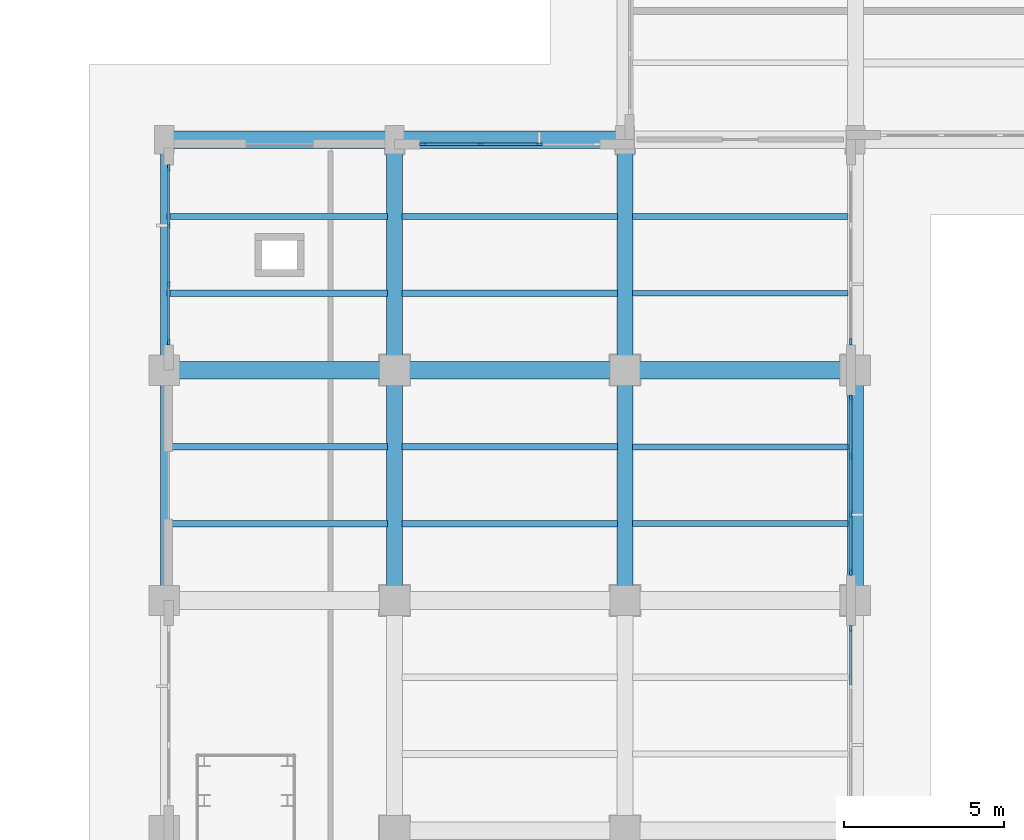
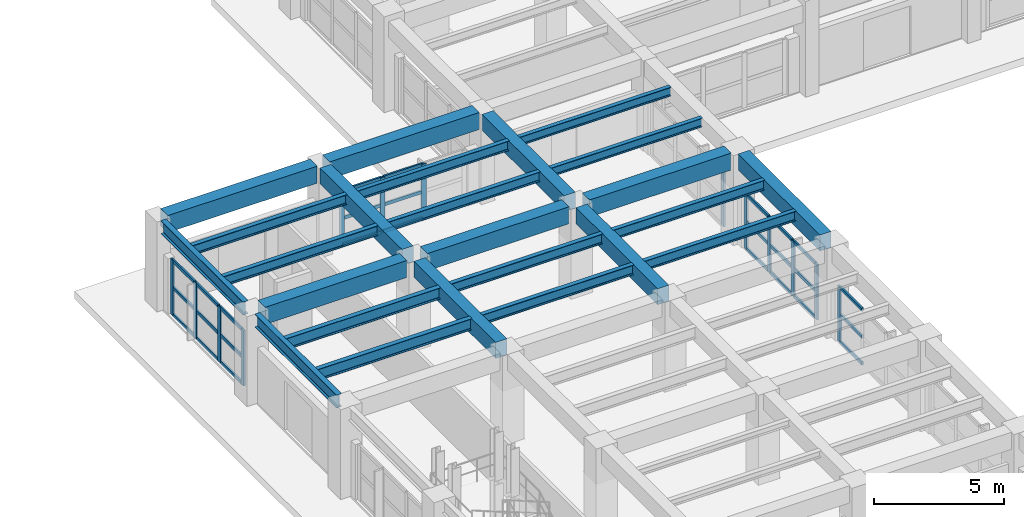
# One storey, part 19 of 64: 40 members, 24 beams, 5 elements without a shape of their own.
"""IFC4 building model written with IfcOpenShell, lengths in metres."""

from ifc_helpers import new_model, si_unit, direction, frame, origin, origin_2d, place, context, subcontext, project, spatial, rectangle, i_section, extrude, material, layer, layer_set, material_profile, profile_set, type_object, element, aggregate, save


model = new_model("IFC4")

# Units and contexts
model_context = context("Model", 3, precision=1e-05, world=origin(), true_north=direction((0.0, 1.0)))
body_context = subcontext(model_context, "Body", "Model", "MODEL_VIEW")
ifc_project = project(units=[si_unit("LENGTHUNIT", "METRE"), si_unit("AREAUNIT", "SQUARE_METRE"), si_unit("VOLUMEUNIT", "CUBIC_METRE"), si_unit("PLANEANGLEUNIT", "RADIAN"), si_unit("MASSUNIT", "GRAM", prefix="KILO")], contexts=[model_context])

# Site, building, storey
site_placement = place(None, origin())
site = spatial("IfcSite", under=ifc_project, at=site_placement, CompositionType="ELEMENT")
building_placement = place(site_placement, origin())
building = spatial("IfcBuilding", under=site, at=building_placement, Name="Solenvale Faculty of Natural Sciences", CompositionType="ELEMENT")
storey_placement = place(building_placement, origin())
storey = spatial("IfcBuildingStorey", under=building, at=storey_placement, Name="L00", CompositionType="ELEMENT", Elevation=0.0)

# Beams
ifc_material_1 = material(Name="Concrete 40 MPa", Category="concrete")
ifc_material_profile_1 = material_profile(ifc_material_1, rectangle(XDim=0.5, YDim=0.75, at=origin_2d()), Name="RC-BM-500x750")
ifc_profile_set_1 = profile_set([ifc_material_profile_1], Name="Concrete 40 MPa")
beam_type_1 = type_object("IfcBeamType", Name="BM-RC-500x750", PredefinedType="BEAM", material=ifc_profile_set_1)
beam_1_placement = place(storey_placement, frame((43.199951171875, 79.655029296875, 3.844970703125), z_axis=(0.0, 1.0, 0.0), x_axis=(-1.0, 0.0, 0.0)))
element("IfcBeam", 1, at=beam_1_placement, inside=storey, type_object=beam_type_1, Name="L00 Y-Girder X43.2 (79.2..86.4)", PredefinedType="BEAM", context=body_context, shape_type="SweptSolid", body=[
    extrude(rectangle(XDim=0.5, YDim=0.75, at=origin_2d()), origin(), (0.0, 0.0, 1.0), 6.2900390625),
])
beam_2_placement = place(storey_placement, frame((43.199951171875, 86.85498046875, 3.844970703125), z_axis=(0.0, 1.0, 0.0), x_axis=(-1.0, 0.0, 0.0)))
element("IfcBeam", 2, at=beam_2_placement, inside=storey, type_object=beam_type_1, Name="L00 Y-Girder X43.2 (86.4..93.6)", PredefinedType="BEAM", context=body_context, shape_type="SweptSolid", body=[
    extrude(rectangle(XDim=0.5, YDim=0.75, at=origin_2d()), origin(), (0.0, 0.0, 1.0), 6.31494140625),
])
beam_3_placement = place(storey_placement, frame((50.39990234375, 79.655029296875, 3.844970703125), z_axis=(0.0, 1.0, 0.0), x_axis=(-1.0, 0.0, 0.0)))
element("IfcBeam", 3, at=beam_3_placement, inside=storey, type_object=beam_type_1, Name="L00 Y-Girder X50.4 (79.2..86.4)", PredefinedType="BEAM", context=body_context, shape_type="SweptSolid", body=[
    extrude(rectangle(XDim=0.5, YDim=0.75, at=origin_2d()), origin(), (0.0, 0.0, 1.0), 6.2900390625),
])
beam_4_placement = place(storey_placement, frame((50.39990234375, 86.85498046875, 3.844970703125), z_axis=(0.0, 1.0, 0.0), x_axis=(-1.0, 0.0, 0.0)))
element("IfcBeam", 4, at=beam_4_placement, inside=storey, type_object=beam_type_1, Name="L00 Y-Girder X50.4 (86.4..93.6)", PredefinedType="BEAM", context=body_context, shape_type="SweptSolid", body=[
    extrude(rectangle(XDim=0.5, YDim=0.75, at=origin_2d()), origin(), (0.0, 0.0, 1.0), 6.31494140625),
])
beam_5_placement = place(storey_placement, frame((57.60009765625, 79.655029296875, 3.844970703125), z_axis=(0.0, 1.0, 0.0), x_axis=(-1.0, 0.0, 0.0)))
element("IfcBeam", 5, at=beam_5_placement, inside=storey, type_object=beam_type_1, Name="L00 Y-Girder X57.6 (79.2..86.4)", PredefinedType="BEAM", context=body_context, shape_type="SweptSolid", body=[
    extrude(rectangle(XDim=0.5, YDim=0.75, at=origin_2d()), origin(), (0.0, 0.0, 1.0), 6.2900390625),
])
ifc_material_profile_2 = material_profile(ifc_material_1, rectangle(XDim=0.550048828125, YDim=0.800048828125, at=origin_2d()), Name="RC-BM-550x800")
ifc_profile_set_2 = profile_set([ifc_material_profile_2], Name="Concrete 40 MPa")
beam_type_2 = type_object("IfcBeamType", Name="BM-RC-550x800", PredefinedType="BEAM", material=ifc_profile_set_2)
for number, where, z_axis, x_axis, name in (
    (6, (36.455078125, 86.39990234375, 3.820068359375), (1.0, 0.0, 0.0), (0.0, 1.0, 0.0), "L00 X-Girder Y86.4 (36.0..43.2)"),
    (7, (43.655029296875, 86.39990234375, 3.820068359375), (1.0, 0.0, 0.0), (0.0, 1.0, 0.0), "L00 X-Girder Y86.4 (43.2..50.4)"),
    (8, (50.85498046875, 86.39990234375, 3.820068359375), (1.0, 0.0, 0.0), (0.0, 1.0, 0.0), "L00 X-Girder Y86.4 (50.4..57.6)"),
):
    element("IfcBeam", number, at=place(storey_placement, frame(where, z_axis=z_axis, x_axis=x_axis)), inside=storey, type_object=beam_type_2, Name=name, PredefinedType="BEAM", context=body_context, shape_type="SweptSolid", body=[
        extrude(rectangle(XDim=0.550048828125, YDim=0.800048828125, at=origin_2d()), origin(), (0.0, 0.0, 1.0), 6.2900390625),
    ])
beam_6_placement = place(storey_placement, frame((36.280029296875, 93.60009765625, 3.820068359375), z_axis=(1.0, 0.0, 0.0), x_axis=(0.0, 1.0, 0.0)))
element("IfcBeam", 9, at=beam_6_placement, inside=storey, type_object=beam_type_2, Name="L00 X-Girder Y93.6 (36.0..43.2)", PredefinedType="BEAM", context=body_context, shape_type="SweptSolid", body=[
    extrude(rectangle(XDim=0.550048828125, YDim=0.800048828125, at=origin_2d()), origin(), (0.0, 0.0, 1.0), 6.639892578125),
])
beam_7_placement = place(storey_placement, frame((43.47998046875, 93.60009765625, 3.820068359375), z_axis=(1.0, 0.0, 0.0), x_axis=(0.0, 1.0, 0.0)))
element("IfcBeam", 10, at=beam_7_placement, inside=storey, type_object=beam_type_2, Name="L00 X-Girder Y93.6 (43.2..50.4)", PredefinedType="BEAM", context=body_context, shape_type="SweptSolid", body=[
    extrude(rectangle(XDim=0.550048828125, YDim=0.800048828125, at=origin_2d()), origin(), (0.0, 0.0, 1.0), 6.64013671875),
])
ifc_material_2 = material(Name="Steel S355", Category="steel")
ifc_material_profile_3 = material_profile(ifc_material_2, i_section(OverallWidth=0.180908203125, OverallDepth=0.4169921875, WebThickness=0.010986328125, FlangeThickness=0.018310546875, FilletRadius=0.01611328125, at=origin_2d()), Name="W410x85")
ifc_profile_set_3 = profile_set([ifc_material_profile_3], Name="Steel S355")
beam_type_3 = type_object("IfcBeamType", Name="BM-STL-W410x85", PredefinedType="JOIST", material=ifc_profile_set_3)
for number, where, z_axis, x_axis, name in (
    (11, (50.6298828125, 88.800048828125, 4.011474609375), (1.0, 0.0, 0.0), (0.0, 1.0, 0.0), "L00 Composite Floor Joist (8,13).1"),
    (12, (50.6298828125, 91.199951171875, 4.011474609375), (1.0, 0.0, 0.0), (0.0, 1.0, 0.0), "L00 Composite Floor Joist (8,13).2"),
):
    element("IfcBeam", number, at=place(storey_placement, frame(where, z_axis=z_axis, x_axis=x_axis)), inside=storey, type_object=beam_type_3, Name=name, PredefinedType="JOIST", context=body_context, shape_type="SweptSolid", body=[
        extrude(i_section(OverallWidth=0.180908203125, OverallDepth=0.4169921875, WebThickness=0.010986328125, FlangeThickness=0.018310546875, FilletRadius=0.01611328125, at=origin_2d()), origin(), (0.0, 0.0, 1.0), 6.740234375),
    ])
ifc_material_profile_4 = material_profile(ifc_material_2, i_section(OverallWidth=0.194091796875, OverallDepth=0.468994140625, WebThickness=0.0126953125, FlangeThickness=0.0205078125, FilletRadius=0.01806640625, at=origin_2d()), Name="W460x106")
ifc_profile_set_4 = profile_set([ifc_material_profile_4], Name="Steel S355")
beam_type_4 = type_object("IfcBeamType", Name="BM-STL-W460x106", PredefinedType="JOIST", material=ifc_profile_set_4)
for number, where, z_axis, x_axis, name in (
    (13, (36.093994140625, 88.800048828125, 3.985595703125), (1.0, 0.0, 0.0), (0.0, 1.0, 0.0), "L00 Composite Floor Joist (6,13).1"),
    (14, (36.093994140625, 91.199951171875, 3.985595703125), (1.0, 0.0, 0.0), (0.0, 1.0, 0.0), "L00 Composite Floor Joist (6,13).2"),
):
    element("IfcBeam", number, at=place(storey_placement, frame(where, z_axis=z_axis, x_axis=x_axis)), inside=storey, type_object=beam_type_4, Name=name, PredefinedType="JOIST", context=body_context, shape_type="SweptSolid", body=[
        extrude(i_section(OverallWidth=0.194091796875, OverallDepth=0.468994140625, WebThickness=0.0126953125, FlangeThickness=0.0205078125, FilletRadius=0.01806640625, at=origin_2d()), origin(), (0.0, 0.0, 1.0), 6.8759765625),
    ])
for number, where, z_axis, x_axis, name in (
    (15, (43.429931640625, 81.60009765625, 3.985595703125), (1.0, 0.0, 0.0), (0.0, 1.0, 0.0), "L00 Composite Floor Joist (7,12).1"),
    (16, (43.429931640625, 84.0, 3.985595703125), (1.0, 0.0, 0.0), (0.0, 1.0, 0.0), "L00 Composite Floor Joist (7,12).2"),
):
    element("IfcBeam", number, at=place(storey_placement, frame(where, z_axis=z_axis, x_axis=x_axis)), inside=storey, type_object=beam_type_4, Name=name, PredefinedType="JOIST", context=body_context, shape_type="SweptSolid", body=[
        extrude(i_section(OverallWidth=0.194091796875, OverallDepth=0.468994140625, WebThickness=0.0126953125, FlangeThickness=0.0205078125, FilletRadius=0.01806640625, at=origin_2d()), origin(), (0.0, 0.0, 1.0), 6.739990234375),
    ])
ifc_material_profile_5 = material_profile(ifc_material_2, i_section(OverallWidth=0.19091796875, OverallDepth=0.4599609375, WebThickness=0.010009765625, FlangeThickness=0.01611328125, FilletRadius=0.01806640625, at=origin_2d()), Name="W460x82")
ifc_profile_set_5 = profile_set([ifc_material_profile_5], Name="Steel S355")
beam_type_5 = type_object("IfcBeamType", Name="BM-STL-W460x82", PredefinedType="JOIST", material=ifc_profile_set_5)
for number, where, z_axis, x_axis, name in (
    (17, (43.429931640625, 88.800048828125, 3.989990234375), (1.0, 0.0, 0.0), (0.0, 1.0, 0.0), "L00 Composite Floor Joist (7,13).1"),
    (18, (43.429931640625, 91.199951171875, 3.989990234375), (1.0, 0.0, 0.0), (0.0, 1.0, 0.0), "L00 Composite Floor Joist (7,13).2"),
):
    element("IfcBeam", number, at=place(storey_placement, frame(where, z_axis=z_axis, x_axis=x_axis)), inside=storey, type_object=beam_type_5, Name=name, PredefinedType="JOIST", context=body_context, shape_type="SweptSolid", body=[
        extrude(i_section(OverallWidth=0.19091796875, OverallDepth=0.4599609375, WebThickness=0.010009765625, FlangeThickness=0.01611328125, FilletRadius=0.01806640625, at=origin_2d()), origin(), (0.0, 0.0, 1.0), 6.739990234375),
    ])
for number, where, z_axis, x_axis, name in (
    (19, (50.6298828125, 81.60009765625, 3.989990234375), (1.0, 0.0, 0.0), (0.0, 1.0, 0.0), "L00 Composite Floor Joist (8,12).1"),
    (20, (50.6298828125, 84.0, 3.989990234375), (1.0, 0.0, 0.0), (0.0, 1.0, 0.0), "L00 Composite Floor Joist (8,12).2"),
):
    element("IfcBeam", number, at=place(storey_placement, frame(where, z_axis=z_axis, x_axis=x_axis)), inside=storey, type_object=beam_type_5, Name=name, PredefinedType="JOIST", context=body_context, shape_type="SweptSolid", body=[
        extrude(i_section(OverallWidth=0.19091796875, OverallDepth=0.4599609375, WebThickness=0.010009765625, FlangeThickness=0.01611328125, FilletRadius=0.01806640625, at=origin_2d()), origin(), (0.0, 0.0, 1.0), 6.740234375),
    ])
ifc_material_profile_6 = material_profile(ifc_material_2, i_section(OverallWidth=0.208984375, OverallDepth=0.532958984375, WebThickness=0.01025390625, FlangeThickness=0.015625, FilletRadius=0.01904296875, at=origin_2d()), Name="W530x92")
ifc_profile_set_6 = profile_set([ifc_material_profile_6], Name="Steel S355")
beam_type_6 = type_object("IfcBeamType", Name="BM-STL-W530x92", PredefinedType="JOIST", material=ifc_profile_set_6)
for number, where, z_axis, x_axis, name in (
    (21, (36.093994140625, 81.60009765625, 3.95361328125), (1.0, 0.0, 0.0), (0.0, 1.0, 0.0), "L00 Composite Floor Joist (6,12).1"),
    (22, (36.093994140625, 84.0, 3.95361328125), (1.0, 0.0, 0.0), (0.0, 1.0, 0.0), "L00 Composite Floor Joist (6,12).2"),
):
    element("IfcBeam", number, at=place(storey_placement, frame(where, z_axis=z_axis, x_axis=x_axis)), inside=storey, type_object=beam_type_6, Name=name, PredefinedType="JOIST", context=body_context, shape_type="SweptSolid", body=[
        extrude(i_section(OverallWidth=0.208984375, OverallDepth=0.532958984375, WebThickness=0.01025390625, FlangeThickness=0.015625, FilletRadius=0.01904296875, at=origin_2d()), origin(), (0.0, 0.0, 1.0), 6.8759765625),
    ])
ifc_material_profile_7 = material_profile(ifc_material_2, i_section(OverallWidth=0.22900390625, OverallDepth=0.612060546875, WebThickness=0.011962890625, FlangeThickness=0.01953125, FilletRadius=0.01904296875, at=origin_2d()), Name="W610x125")
ifc_profile_set_7 = profile_set([ifc_material_profile_7], Name="Steel S355")
beam_type_7 = type_object("IfcBeamType", Name="BM-STL-W610x125", PredefinedType="BEAM", material=ifc_profile_set_7)
beam_8_placement = place(storey_placement, frame((36.0, 79.655029296875, 3.9140625), z_axis=(0.0, 1.0, 0.0), x_axis=(-1.0, 0.0, 0.0)))
element("IfcBeam", 23, at=beam_8_placement, inside=storey, type_object=beam_type_7, Name="L00 Y-Girder X36.0 (79.2..86.4)", PredefinedType="BEAM", context=body_context, shape_type="SweptSolid", body=[
    extrude(i_section(OverallWidth=0.22900390625, OverallDepth=0.612060546875, WebThickness=0.011962890625, FlangeThickness=0.01953125, FilletRadius=0.01904296875, at=origin_2d()), origin(), (0.0, 0.0, 1.0), 6.2900390625),
])
beam_9_placement = place(storey_placement, frame((36.0, 86.85498046875, 3.9140625), z_axis=(0.0, 1.0, 0.0), x_axis=(-1.0, 0.0, 0.0)))
element("IfcBeam", 24, at=beam_9_placement, inside=storey, type_object=beam_type_7, Name="L00 Y-Girder X36.0 (86.4..93.6)", PredefinedType="BEAM", context=body_context, shape_type="SweptSolid", body=[
    extrude(i_section(OverallWidth=0.22900390625, OverallDepth=0.612060546875, WebThickness=0.011962890625, FlangeThickness=0.01953125, FilletRadius=0.01904296875, at=origin_2d()), origin(), (0.0, 0.0, 1.0), 6.31494140625),
])

# Curtain wall, member
ifc_material_3 = material(Name="Anodised bronze aluminium", Category="aluminium")
ifc_layer = layer(ifc_material_3, 0.215087890625)
ifc_layer_set = layer_set([ifc_layer], Name="Anodised bronze aluminium")
curtain_wall_type = type_object("IfcCurtainWallType", Name="CW-ATR-UNIT", PredefinedType="USERDEFINED", material=ifc_layer_set)
curtain_wall_1_placement = place(storey_placement, origin())
curtain_wall_1 = element("IfcCurtainWall", 25, at=curtain_wall_1_placement, inside=storey, type_object=curtain_wall_type, Name="L00 Curtain Wall CW-L00-P1-E10-B4", ObjectType="UNITISED CURTAIN WALL", PredefinedType="USERDEFINED")
ifc_material_profile_8 = material_profile(ifc_material_3, rectangle(XDim=0.074951171875, YDim=0.2099609375, at=origin_2d()), Name="ALU-MUL-75x210")
ifc_profile_set_8 = profile_set([ifc_material_profile_8], Name="Anodised bronze aluminium")
member_type_1 = type_object("IfcMemberType", Name="CWM-ALU-75x210", PredefinedType="MULLION", material=ifc_profile_set_8)
member_1_placement = place(storey_placement, frame((57.45751953125, 78.3125, 0.0), z_axis=(0.0, 0.0, 1.0), x_axis=(-1.0, 0.0, 0.0)))
member_1 = element("IfcMember", 26, at=member_1_placement, type_object=member_type_1, Name="CW-01 mullion 4", PredefinedType="MULLION", context=body_context, shape_type="SweptSolid", body=[
    extrude(rectangle(XDim=0.074951171875, YDim=0.2099609375, at=origin_2d()), origin(), (0.0, 0.0, 1.0), 2.60009765625),
])

# Curtain wall, members
curtain_wall_2_placement = place(storey_placement, origin())
curtain_wall_2 = element("IfcCurtainWall", 27, at=curtain_wall_2_placement, inside=storey, type_object=curtain_wall_type, Name="L00 Curtain Wall CW-L00-P1-E10-B5", ObjectType="UNITISED CURTAIN WALL", PredefinedType="USERDEFINED")
member_2_placement = place(storey_placement, frame((57.45751953125, 80.08740234375, 0.0), z_axis=(0.0, 0.0, 1.0), x_axis=(-1.0, 0.0, 0.0)))
member_2 = element("IfcMember", 28, at=member_2_placement, type_object=member_type_1, Name="CW-01 mullion 1", PredefinedType="MULLION", context=body_context, shape_type="SweptSolid", body=[
    extrude(rectangle(XDim=0.074951171875, YDim=0.2099609375, at=origin_2d()), origin(), (0.0, 0.0, 1.0), 2.60009765625),
])
member_3_placement = place(storey_placement, frame((57.45751953125, 81.88330078125, 0.0), z_axis=(0.0, 0.0, 1.0), x_axis=(-1.0, 0.0, 0.0)))
member_3 = element("IfcMember", 29, at=member_3_placement, type_object=member_type_1, Name="CW-01 mullion 2", PredefinedType="MULLION", context=body_context, shape_type="SweptSolid", body=[
    extrude(rectangle(XDim=0.074951171875, YDim=0.2099609375, at=origin_2d()), origin(), (0.0, 0.0, 1.0), 2.60009765625),
])
member_4_placement = place(storey_placement, frame((57.45751953125, 83.716552734375, 0.0), z_axis=(0.0, 0.0, 1.0), x_axis=(-1.0, 0.0, 0.0)))
member_4 = element("IfcMember", 30, at=member_4_placement, type_object=member_type_1, Name="CW-01 mullion 3", PredefinedType="MULLION", context=body_context, shape_type="SweptSolid", body=[
    extrude(rectangle(XDim=0.074951171875, YDim=0.2099609375, at=origin_2d()), origin(), (0.0, 0.0, 1.0), 2.60009765625),
])
member_5_placement = place(storey_placement, frame((57.45751953125, 85.512451171875, 0.0), z_axis=(0.0, 0.0, 1.0), x_axis=(-1.0, 0.0, 0.0)))
member_5 = element("IfcMember", 31, at=member_5_placement, type_object=member_type_1, Name="CW-01 mullion 4", PredefinedType="MULLION", context=body_context, shape_type="SweptSolid", body=[
    extrude(rectangle(XDim=0.074951171875, YDim=0.2099609375, at=origin_2d()), origin(), (0.0, 0.0, 1.0), 2.60009765625),
])

# Curtain wall, member
curtain_wall_3_placement = place(storey_placement, origin())
curtain_wall_3 = element("IfcCurtainWall", 32, at=curtain_wall_3_placement, inside=storey, type_object=curtain_wall_type, Name="L00 Curtain Wall CW-L00-P1-E10-B6", ObjectType="UNITISED CURTAIN WALL", PredefinedType="USERDEFINED")
member_6_placement = place(storey_placement, frame((57.45751953125, 87.28759765625, 0.0), z_axis=(0.0, 0.0, 1.0), x_axis=(-1.0, 0.0, 0.0)))
member_6 = element("IfcMember", 33, at=member_6_placement, type_object=member_type_1, Name="CW-01 mullion 1", PredefinedType="MULLION", context=body_context, shape_type="SweptSolid", body=[
    extrude(rectangle(XDim=0.074951171875, YDim=0.2099609375, at=origin_2d()), origin(), (0.0, 0.0, 1.0), 2.60009765625),
])
aggregate(curtain_wall_3, [member_6])

# Curtain wall, members
curtain_wall_4_placement = place(storey_placement, origin())
curtain_wall_4 = element("IfcCurtainWall", 34, at=curtain_wall_4_placement, inside=storey, type_object=curtain_wall_type, Name="L00 Curtain Wall CW-L00-P1-E21-B1", ObjectType="UNITISED CURTAIN WALL", PredefinedType="USERDEFINED")
member_7_placement = place(storey_placement, frame((47.716552734375, 93.45751953125, 0.0), z_axis=(0.0, 0.0, 1.0), x_axis=(0.0, -1.0, 0.0)))
member_7 = element("IfcMember", 35, at=member_7_placement, type_object=member_type_1, Name="CW-01 mullion 2", PredefinedType="MULLION", context=body_context, shape_type="SweptSolid", body=[
    extrude(rectangle(XDim=0.074951171875, YDim=0.2099609375, at=origin_2d()), origin(), (0.0, 0.0, 1.0), 2.60009765625),
])
member_8_placement = place(storey_placement, frame((45.88330078125, 93.45751953125, 0.0), z_axis=(0.0, 0.0, 1.0), x_axis=(0.0, -1.0, 0.0)))
member_8 = element("IfcMember", 36, at=member_8_placement, type_object=member_type_1, Name="CW-01 mullion 3", PredefinedType="MULLION", context=body_context, shape_type="SweptSolid", body=[
    extrude(rectangle(XDim=0.074951171875, YDim=0.2099609375, at=origin_2d()), origin(), (0.0, 0.0, 1.0), 2.60009765625),
])
member_9_placement = place(storey_placement, frame((44.08740234375, 93.45751953125, 0.0), z_axis=(0.0, 0.0, 1.0), x_axis=(0.0, -1.0, 0.0)))
member_9 = element("IfcMember", 37, at=member_9_placement, type_object=member_type_1, Name="CW-01 mullion 4", PredefinedType="MULLION", context=body_context, shape_type="SweptSolid", body=[
    extrude(rectangle(XDim=0.074951171875, YDim=0.2099609375, at=origin_2d()), origin(), (0.0, 0.0, 1.0), 2.60009765625),
])

curtain_wall_5_placement = place(storey_placement, origin())
curtain_wall_5 = element("IfcCurtainWall", 38, at=curtain_wall_5_placement, inside=storey, type_object=curtain_wall_type, Name="L00 Curtain Wall CW-L00-P1-E22-B1", ObjectType="UNITISED CURTAIN WALL", PredefinedType="USERDEFINED")
member_10_placement = place(storey_placement, frame((36.142578125, 92.71240234375, 0.0), z_axis=(0.0, 0.0, 1.0), x_axis=(1.0, 0.0, 0.0)))
member_10 = element("IfcMember", 39, at=member_10_placement, type_object=member_type_1, Name="CW-01 mullion 1", PredefinedType="MULLION", context=body_context, shape_type="SweptSolid", body=[
    extrude(rectangle(XDim=0.074951171875, YDim=0.2099609375, at=origin_2d()), origin(), (0.0, 0.0, 1.0), 2.60009765625),
])
member_11_placement = place(storey_placement, frame((36.142578125, 90.916748046875, 0.0), z_axis=(0.0, 0.0, 1.0), x_axis=(1.0, 0.0, 0.0)))
member_11 = element("IfcMember", 40, at=member_11_placement, type_object=member_type_1, Name="CW-01 mullion 2", PredefinedType="MULLION", context=body_context, shape_type="SweptSolid", body=[
    extrude(rectangle(XDim=0.074951171875, YDim=0.2099609375, at=origin_2d()), origin(), (0.0, 0.0, 1.0), 2.60009765625),
])
member_12_placement = place(storey_placement, frame((36.142578125, 89.083251953125, 0.0), z_axis=(0.0, 0.0, 1.0), x_axis=(1.0, 0.0, 0.0)))
member_12 = element("IfcMember", 41, at=member_12_placement, type_object=member_type_1, Name="CW-01 mullion 3", PredefinedType="MULLION", context=body_context, shape_type="SweptSolid", body=[
    extrude(rectangle(XDim=0.074951171875, YDim=0.2099609375, at=origin_2d()), origin(), (0.0, 0.0, 1.0), 2.60009765625),
])
member_13_placement = place(storey_placement, frame((36.142578125, 87.28759765625, 0.0), z_axis=(0.0, 0.0, 1.0), x_axis=(1.0, 0.0, 0.0)))
member_13 = element("IfcMember", 42, at=member_13_placement, type_object=member_type_1, Name="CW-01 mullion 4", PredefinedType="MULLION", context=body_context, shape_type="SweptSolid", body=[
    extrude(rectangle(XDim=0.074951171875, YDim=0.2099609375, at=origin_2d()), origin(), (0.0, 0.0, 1.0), 2.60009765625),
])

# Member
ifc_material_profile_9 = material_profile(ifc_material_3, rectangle(XDim=0.074951171875, YDim=0.155029296875, at=origin_2d()), Name="ALU-TRN-75x155")
ifc_profile_set_9 = profile_set([ifc_material_profile_9], Name="Anodised bronze aluminium")
member_type_2 = type_object("IfcMemberType", Name="CWT-ALU-75x155", PredefinedType="USERDEFINED", material=ifc_profile_set_9)
member_14_placement = place(storey_placement, frame((57.45751953125, 76.55419921875, 0.03759765625), z_axis=(0.0, 1.0, 0.0), x_axis=(-1.0, 0.0, 0.0)))
member_14 = element("IfcMember", 43, at=member_14_placement, type_object=member_type_2, Name="CW-01 transom 3.1", ObjectType="TRANSOM", PredefinedType="USERDEFINED", context=body_context, shape_type="SweptSolid", body=[
    extrude(rectangle(XDim=0.074951171875, YDim=0.155029296875, at=origin_2d()), origin(), (0.0, 0.0, 1.0), 1.720703125),
])

member_15_placement = place(storey_placement, frame((57.45751953125, 76.55419921875, 1.300048828125), z_axis=(0.0, 1.0, 0.0), x_axis=(-1.0, 0.0, 0.0)))
member_15 = element("IfcMember", 44, at=member_15_placement, type_object=member_type_2, Name="CW-01 transom 3.2", ObjectType="TRANSOM", PredefinedType="USERDEFINED", context=body_context, shape_type="SweptSolid", body=[
    extrude(rectangle(XDim=0.074951171875, YDim=0.155029296875, at=origin_2d()), origin(), (0.0, 0.0, 1.0), 1.720703125),
])

member_16_placement = place(storey_placement, frame((57.45751953125, 76.55419921875, 2.5625), z_axis=(0.0, 1.0, 0.0), x_axis=(-1.0, 0.0, 0.0)))
member_16 = element("IfcMember", 45, at=member_16_placement, type_object=member_type_2, Name="CW-01 transom 3.3", ObjectType="TRANSOM", PredefinedType="USERDEFINED", context=body_context, shape_type="SweptSolid", body=[
    extrude(rectangle(XDim=0.074951171875, YDim=0.155029296875, at=origin_2d()), origin(), (0.0, 0.0, 1.0), 1.720703125),
])

aggregate(curtain_wall_1, [member_1, member_14, member_15, member_16])

member_17_placement = place(storey_placement, frame((57.45751953125, 80.125, 0.03759765625), z_axis=(0.0, 1.0, 0.0), x_axis=(-1.0, 0.0, 0.0)))
member_17 = element("IfcMember", 46, at=member_17_placement, type_object=member_type_2, Name="CW-01 transom 1.1", ObjectType="TRANSOM", PredefinedType="USERDEFINED", context=body_context, shape_type="SweptSolid", body=[
    extrude(rectangle(XDim=0.074951171875, YDim=0.155029296875, at=origin_2d()), origin(), (0.0, 0.0, 1.0), 1.720947265625),
])

member_18_placement = place(storey_placement, frame((57.45751953125, 80.125, 1.300048828125), z_axis=(0.0, 1.0, 0.0), x_axis=(-1.0, 0.0, 0.0)))
member_18 = element("IfcMember", 47, at=member_18_placement, type_object=member_type_2, Name="CW-01 transom 1.2", ObjectType="TRANSOM", PredefinedType="USERDEFINED", context=body_context, shape_type="SweptSolid", body=[
    extrude(rectangle(XDim=0.074951171875, YDim=0.155029296875, at=origin_2d()), origin(), (0.0, 0.0, 1.0), 1.720947265625),
])

member_19_placement = place(storey_placement, frame((57.45751953125, 80.125, 2.5625), z_axis=(0.0, 1.0, 0.0), x_axis=(-1.0, 0.0, 0.0)))
member_19 = element("IfcMember", 48, at=member_19_placement, type_object=member_type_2, Name="CW-01 transom 1.3", ObjectType="TRANSOM", PredefinedType="USERDEFINED", context=body_context, shape_type="SweptSolid", body=[
    extrude(rectangle(XDim=0.074951171875, YDim=0.155029296875, at=origin_2d()), origin(), (0.0, 0.0, 1.0), 1.720947265625),
])

member_20_placement = place(storey_placement, frame((57.45751953125, 81.9208984375, 0.03759765625), z_axis=(0.0, 1.0, 0.0), x_axis=(-1.0, 0.0, 0.0)))
member_20 = element("IfcMember", 49, at=member_20_placement, type_object=member_type_2, Name="CW-01 transom 2.1", ObjectType="TRANSOM", PredefinedType="USERDEFINED", context=body_context, shape_type="SweptSolid", body=[
    extrude(rectangle(XDim=0.074951171875, YDim=0.155029296875, at=origin_2d()), origin(), (0.0, 0.0, 1.0), 1.75830078125),
])

member_21_placement = place(storey_placement, frame((57.45751953125, 81.9208984375, 1.300048828125), z_axis=(0.0, 1.0, 0.0), x_axis=(-1.0, 0.0, 0.0)))
member_21 = element("IfcMember", 50, at=member_21_placement, type_object=member_type_2, Name="CW-01 transom 2.2", ObjectType="TRANSOM", PredefinedType="USERDEFINED", context=body_context, shape_type="SweptSolid", body=[
    extrude(rectangle(XDim=0.074951171875, YDim=0.155029296875, at=origin_2d()), origin(), (0.0, 0.0, 1.0), 1.75830078125),
])

member_22_placement = place(storey_placement, frame((57.45751953125, 81.9208984375, 2.5625), z_axis=(0.0, 1.0, 0.0), x_axis=(-1.0, 0.0, 0.0)))
member_22 = element("IfcMember", 51, at=member_22_placement, type_object=member_type_2, Name="CW-01 transom 2.3", ObjectType="TRANSOM", PredefinedType="USERDEFINED", context=body_context, shape_type="SweptSolid", body=[
    extrude(rectangle(XDim=0.074951171875, YDim=0.155029296875, at=origin_2d()), origin(), (0.0, 0.0, 1.0), 1.75830078125),
])

member_23_placement = place(storey_placement, frame((57.45751953125, 83.754150390625, 0.03759765625), z_axis=(0.0, 1.0, 0.0), x_axis=(-1.0, 0.0, 0.0)))
member_23 = element("IfcMember", 52, at=member_23_placement, type_object=member_type_2, Name="CW-01 transom 3.1", ObjectType="TRANSOM", PredefinedType="USERDEFINED", context=body_context, shape_type="SweptSolid", body=[
    extrude(rectangle(XDim=0.074951171875, YDim=0.155029296875, at=origin_2d()), origin(), (0.0, 0.0, 1.0), 1.720947265625),
])

member_24_placement = place(storey_placement, frame((57.45751953125, 83.754150390625, 1.300048828125), z_axis=(0.0, 1.0, 0.0), x_axis=(-1.0, 0.0, 0.0)))
member_24 = element("IfcMember", 53, at=member_24_placement, type_object=member_type_2, Name="CW-01 transom 3.2", ObjectType="TRANSOM", PredefinedType="USERDEFINED", context=body_context, shape_type="SweptSolid", body=[
    extrude(rectangle(XDim=0.074951171875, YDim=0.155029296875, at=origin_2d()), origin(), (0.0, 0.0, 1.0), 1.720947265625),
])

member_25_placement = place(storey_placement, frame((57.45751953125, 83.754150390625, 2.5625), z_axis=(0.0, 1.0, 0.0), x_axis=(-1.0, 0.0, 0.0)))
member_25 = element("IfcMember", 54, at=member_25_placement, type_object=member_type_2, Name="CW-01 transom 3.3", ObjectType="TRANSOM", PredefinedType="USERDEFINED", context=body_context, shape_type="SweptSolid", body=[
    extrude(rectangle(XDim=0.074951171875, YDim=0.155029296875, at=origin_2d()), origin(), (0.0, 0.0, 1.0), 1.720947265625),
])

aggregate(curtain_wall_2, [member_2, member_3, member_4, member_5, member_17, member_18, member_19, member_20, member_21, member_22, member_23, member_24, member_25])

member_26_placement = place(storey_placement, frame((47.67919921875, 93.45751953125, 0.03759765625), z_axis=(-1.0, 0.0, 0.0), x_axis=(0.0, -1.0, 0.0)))
member_26 = element("IfcMember", 55, at=member_26_placement, type_object=member_type_2, Name="CW-01 transom 2.1", ObjectType="TRANSOM", PredefinedType="USERDEFINED", context=body_context, shape_type="SweptSolid", body=[
    extrude(rectangle(XDim=0.074951171875, YDim=0.155029296875, at=origin_2d()), origin(), (0.0, 0.0, 1.0), 1.75830078125),
])

member_27_placement = place(storey_placement, frame((47.67919921875, 93.45751953125, 1.300048828125), z_axis=(-1.0, 0.0, 0.0), x_axis=(0.0, -1.0, 0.0)))
member_27 = element("IfcMember", 56, at=member_27_placement, type_object=member_type_2, Name="CW-01 transom 2.2", ObjectType="TRANSOM", PredefinedType="USERDEFINED", context=body_context, shape_type="SweptSolid", body=[
    extrude(rectangle(XDim=0.074951171875, YDim=0.155029296875, at=origin_2d()), origin(), (0.0, 0.0, 1.0), 1.75830078125),
])

member_28_placement = place(storey_placement, frame((47.67919921875, 93.45751953125, 2.5625), z_axis=(-1.0, 0.0, 0.0), x_axis=(0.0, -1.0, 0.0)))
member_28 = element("IfcMember", 57, at=member_28_placement, type_object=member_type_2, Name="CW-01 transom 2.3", ObjectType="TRANSOM", PredefinedType="USERDEFINED", context=body_context, shape_type="SweptSolid", body=[
    extrude(rectangle(XDim=0.074951171875, YDim=0.155029296875, at=origin_2d()), origin(), (0.0, 0.0, 1.0), 1.75830078125),
])

member_29_placement = place(storey_placement, frame((45.845947265625, 93.45751953125, 0.03759765625), z_axis=(-1.0, 0.0, 0.0), x_axis=(0.0, -1.0, 0.0)))
member_29 = element("IfcMember", 58, at=member_29_placement, type_object=member_type_2, Name="CW-01 transom 3.1", ObjectType="TRANSOM", PredefinedType="USERDEFINED", context=body_context, shape_type="SweptSolid", body=[
    extrude(rectangle(XDim=0.074951171875, YDim=0.155029296875, at=origin_2d()), origin(), (0.0, 0.0, 1.0), 1.720947265625),
])

member_30_placement = place(storey_placement, frame((45.845947265625, 93.45751953125, 1.300048828125), z_axis=(-1.0, 0.0, 0.0), x_axis=(0.0, -1.0, 0.0)))
member_30 = element("IfcMember", 59, at=member_30_placement, type_object=member_type_2, Name="CW-01 transom 3.2", ObjectType="TRANSOM", PredefinedType="USERDEFINED", context=body_context, shape_type="SweptSolid", body=[
    extrude(rectangle(XDim=0.074951171875, YDim=0.155029296875, at=origin_2d()), origin(), (0.0, 0.0, 1.0), 1.720947265625),
])

member_31_placement = place(storey_placement, frame((45.845947265625, 93.45751953125, 2.5625), z_axis=(-1.0, 0.0, 0.0), x_axis=(0.0, -1.0, 0.0)))
member_31 = element("IfcMember", 60, at=member_31_placement, type_object=member_type_2, Name="CW-01 transom 3.3", ObjectType="TRANSOM", PredefinedType="USERDEFINED", context=body_context, shape_type="SweptSolid", body=[
    extrude(rectangle(XDim=0.074951171875, YDim=0.155029296875, at=origin_2d()), origin(), (0.0, 0.0, 1.0), 1.720947265625),
])

aggregate(curtain_wall_4, [member_7, member_8, member_9, member_26, member_27, member_28, member_29, member_30, member_31])

member_32_placement = place(storey_placement, frame((36.142578125, 92.675048828125, 0.03759765625), z_axis=(0.0, -1.0, 0.0), x_axis=(1.0, 0.0, 0.0)))
member_32 = element("IfcMember", 61, at=member_32_placement, type_object=member_type_2, Name="CW-01 transom 1.1", ObjectType="TRANSOM", PredefinedType="USERDEFINED", context=body_context, shape_type="SweptSolid", body=[
    extrude(rectangle(XDim=0.074951171875, YDim=0.155029296875, at=origin_2d()), origin(), (0.0, 0.0, 1.0), 1.720947265625),
])

member_33_placement = place(storey_placement, frame((36.142578125, 92.675048828125, 1.300048828125), z_axis=(0.0, -1.0, 0.0), x_axis=(1.0, 0.0, 0.0)))
member_33 = element("IfcMember", 62, at=member_33_placement, type_object=member_type_2, Name="CW-01 transom 1.2", ObjectType="TRANSOM", PredefinedType="USERDEFINED", context=body_context, shape_type="SweptSolid", body=[
    extrude(rectangle(XDim=0.074951171875, YDim=0.155029296875, at=origin_2d()), origin(), (0.0, 0.0, 1.0), 1.720947265625),
])

member_34_placement = place(storey_placement, frame((36.142578125, 92.675048828125, 2.5625), z_axis=(0.0, -1.0, 0.0), x_axis=(1.0, 0.0, 0.0)))
member_34 = element("IfcMember", 63, at=member_34_placement, type_object=member_type_2, Name="CW-01 transom 1.3", ObjectType="TRANSOM", PredefinedType="USERDEFINED", context=body_context, shape_type="SweptSolid", body=[
    extrude(rectangle(XDim=0.074951171875, YDim=0.155029296875, at=origin_2d()), origin(), (0.0, 0.0, 1.0), 1.720947265625),
])

member_35_placement = place(storey_placement, frame((36.142578125, 90.879150390625, 0.03759765625), z_axis=(0.0, -1.0, 0.0), x_axis=(1.0, 0.0, 0.0)))
member_35 = element("IfcMember", 64, at=member_35_placement, type_object=member_type_2, Name="CW-01 transom 2.1", ObjectType="TRANSOM", PredefinedType="USERDEFINED", context=body_context, shape_type="SweptSolid", body=[
    extrude(rectangle(XDim=0.074951171875, YDim=0.155029296875, at=origin_2d()), origin(), (0.0, 0.0, 1.0), 1.75830078125),
])

member_36_placement = place(storey_placement, frame((36.142578125, 90.879150390625, 1.300048828125), z_axis=(0.0, -1.0, 0.0), x_axis=(1.0, 0.0, 0.0)))
member_36 = element("IfcMember", 65, at=member_36_placement, type_object=member_type_2, Name="CW-01 transom 2.2", ObjectType="TRANSOM", PredefinedType="USERDEFINED", context=body_context, shape_type="SweptSolid", body=[
    extrude(rectangle(XDim=0.074951171875, YDim=0.155029296875, at=origin_2d()), origin(), (0.0, 0.0, 1.0), 1.75830078125),
])

member_37_placement = place(storey_placement, frame((36.142578125, 90.879150390625, 2.5625), z_axis=(0.0, -1.0, 0.0), x_axis=(1.0, 0.0, 0.0)))
member_37 = element("IfcMember", 66, at=member_37_placement, type_object=member_type_2, Name="CW-01 transom 2.3", ObjectType="TRANSOM", PredefinedType="USERDEFINED", context=body_context, shape_type="SweptSolid", body=[
    extrude(rectangle(XDim=0.074951171875, YDim=0.155029296875, at=origin_2d()), origin(), (0.0, 0.0, 1.0), 1.75830078125),
])

member_38_placement = place(storey_placement, frame((36.142578125, 89.0458984375, 0.03759765625), z_axis=(0.0, -1.0, 0.0), x_axis=(1.0, 0.0, 0.0)))
member_38 = element("IfcMember", 67, at=member_38_placement, type_object=member_type_2, Name="CW-01 transom 3.1", ObjectType="TRANSOM", PredefinedType="USERDEFINED", context=body_context, shape_type="SweptSolid", body=[
    extrude(rectangle(XDim=0.074951171875, YDim=0.155029296875, at=origin_2d()), origin(), (0.0, 0.0, 1.0), 1.720947265625),
])

member_39_placement = place(storey_placement, frame((36.142578125, 89.0458984375, 1.300048828125), z_axis=(0.0, -1.0, 0.0), x_axis=(1.0, 0.0, 0.0)))
member_39 = element("IfcMember", 68, at=member_39_placement, type_object=member_type_2, Name="CW-01 transom 3.2", ObjectType="TRANSOM", PredefinedType="USERDEFINED", context=body_context, shape_type="SweptSolid", body=[
    extrude(rectangle(XDim=0.074951171875, YDim=0.155029296875, at=origin_2d()), origin(), (0.0, 0.0, 1.0), 1.720947265625),
])

member_40_placement = place(storey_placement, frame((36.142578125, 89.0458984375, 2.5625), z_axis=(0.0, -1.0, 0.0), x_axis=(1.0, 0.0, 0.0)))
member_40 = element("IfcMember", 69, at=member_40_placement, type_object=member_type_2, Name="CW-01 transom 3.3", ObjectType="TRANSOM", PredefinedType="USERDEFINED", context=body_context, shape_type="SweptSolid", body=[
    extrude(rectangle(XDim=0.074951171875, YDim=0.155029296875, at=origin_2d()), origin(), (0.0, 0.0, 1.0), 1.720947265625),
])

aggregate(curtain_wall_5, [member_10, member_11, member_12, member_13, member_32, member_33, member_34, member_35, member_36, member_37, member_38, member_39, member_40])

save(model, "model.ifc")
